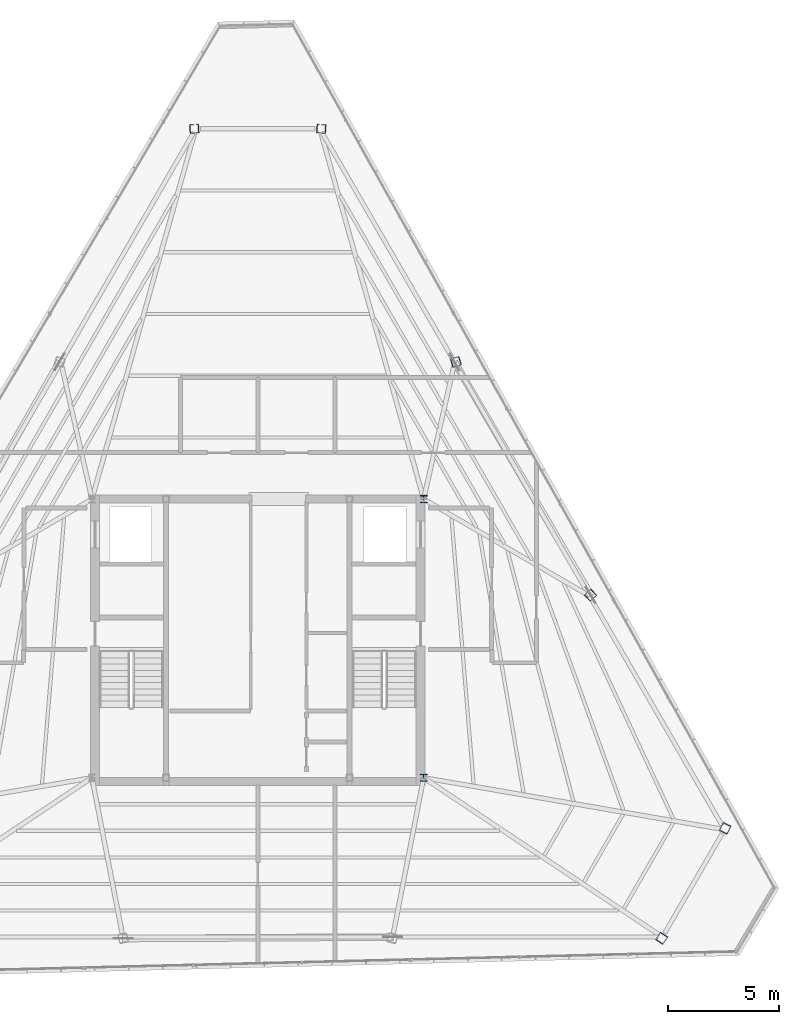
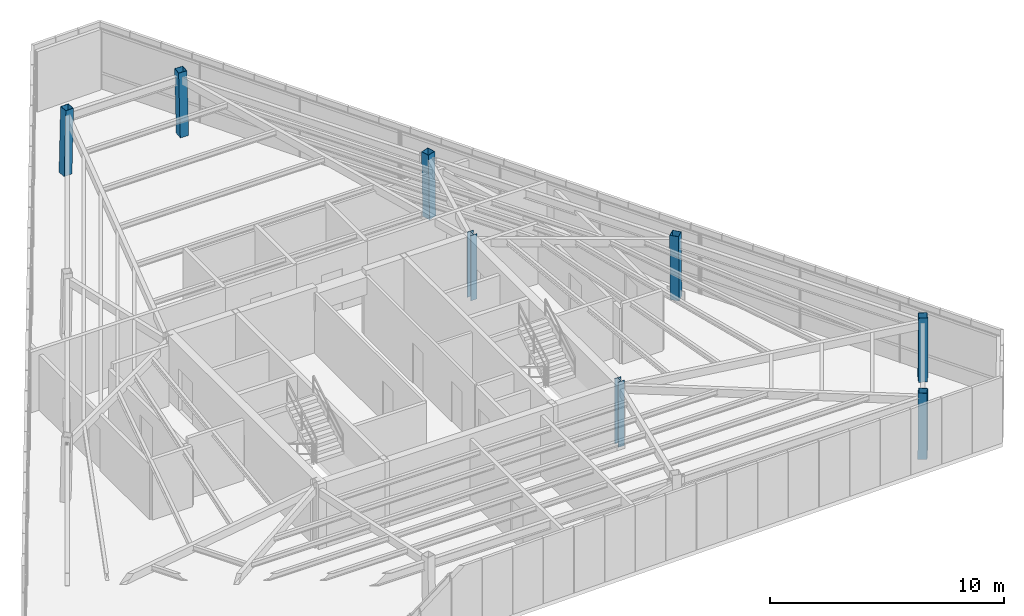
# One storey, part 2 of 44: 8 columns.
"""IFC4 building model written with IfcOpenShell, lengths in metres."""

from ifc_helpers import new_model, si_unit, direction, frame, origin, origin_2d, place, context, subcontext, project, spatial, hollow_rectangle, i_section, extrude, source, transform, mapped, material, material_profile, profile_set, type_object, type_shapes, element, save


model = new_model("IFC4")

# Units and contexts
model_context = context("Model", 3, precision=1e-05, world=origin(), true_north=direction((0.0, 1.0)))
body_context = subcontext(model_context, "Body", "Model", "MODEL_VIEW")
ifc_project = project(units=[si_unit("LENGTHUNIT", "METRE"), si_unit("AREAUNIT", "SQUARE_METRE"), si_unit("VOLUMEUNIT", "CUBIC_METRE"), si_unit("PLANEANGLEUNIT", "RADIAN"), si_unit("MASSUNIT", "GRAM", prefix="KILO")], contexts=[model_context])

# Site, building, storey
site_placement = place(None, origin())
site = spatial("IfcSite", under=ifc_project, at=site_placement, CompositionType="ELEMENT")
building_placement = place(site_placement, origin())
building = spatial("IfcBuilding", under=site, at=building_placement, Name="Caelisora Broadcast Tower", CompositionType="ELEMENT")
storey_placement = place(building_placement, frame((0.0, 0.0, 296.60009765625)))
storey = spatial("IfcBuildingStorey", under=building, at=storey_placement, Name="L78", CompositionType="ELEMENT", Elevation=296.60009765625)

# Columns
ifc_material_1 = material(Name="Steel Grade 350 (AS/NZS 3679.1)", Category="steel")
ifc_material_profile_1 = material_profile(ifc_material_1, i_section(OverallWidth=0.31103515625, OverallDepth=0.3271484375, WebThickness=0.015625, FlangeThickness=0.02490234375, at=origin_2d()), Name="Steel Grade 350 (AS/NZS 3679.1)")
ifc_profile_set_1 = profile_set([ifc_material_profile_1], Name="Steel Grade 350 (AS/NZS 3679.1)")
column_type_1 = type_object("IfcColumnType", Name="CC03", PredefinedType="COLUMN", material=ifc_profile_set_1)
shared_shape_1 = source(origin(), body_context, "Body", "SweptSolid", [
    extrude(i_section(OverallWidth=0.31103515625, OverallDepth=0.3271484375, WebThickness=0.015625, FlangeThickness=0.02490234375, at=origin_2d()), origin(), (0.0, 0.0, 1.0), 3.39990234375),
])
type_shapes(column_type_1, [shared_shape_1])
for number, where, z_axis, x_axis, name in (
    (1, (45.5, 17.39990234375, 0.0), (0.0, 0.0, 1.0), (1.0, 0.0, 0.0), "L78 column CC03"),
    (2, (45.5, 30.0, 0.0), (0.0, 0.0, 1.0), (1.0, 0.0, 0.0), "L78 column CC03"),
):
    element("IfcColumn", number, at=place(storey_placement, frame(where, z_axis=z_axis, x_axis=x_axis)), inside=storey, type_object=column_type_1, Name=name, PredefinedType="COLUMN", context=body_context, shape_type="MappedRepresentation", body=[
        mapped(shared_shape_1, transform((0.0, 0.0, 0.0), scale=1.0)),
    ])
ifc_material_2 = material(Name="Steel Grade 350 (AS/NZS 1163 C350L0)", Category="steel")
ifc_material_profile_2 = material_profile(ifc_material_2, hollow_rectangle(XDim=0.39990234375, YDim=0.39990234375, WallThickness=0.01611328125, at=origin_2d()), Name="Steel Grade 350 (AS/NZS 1163 C350L0)")
ifc_profile_set_2 = profile_set([ifc_material_profile_2], Name="Steel Grade 350 (AS/NZS 1163 C350L0)")
column_type_2 = type_object("IfcColumnType", Name="MC08", PredefinedType="COLUMN", material=ifc_profile_set_2)
shared_shape_2 = source(origin(), body_context, "Body", "SweptSolid", [
    extrude(hollow_rectangle(XDim=0.39990234375, YDim=0.39990234375, WallThickness=0.01611328125, at=origin_2d()), origin(), (0.0, 0.0, 1.0), 3.40087890625),
])
for number, where, z_axis, x_axis, name in (
    (3, (40.8857421875, 46.745361328125, 0.0), (-0.023905234944, 0.001794687308, 0.999712618126), (-0.07486439367, -0.997193723687, 0.0), "L78 column MC08"),
    (4, (35.1142578125, 46.745361328125, 0.0), (0.023905234944, 0.001794687308, 0.999712618126), (-0.07486439367, 0.997193723687, 0.0), "L78 column MC08"),
    (5, (56.25537109375, 10.128173828125, 0.0), (0.013424273829, 0.019813366721, 0.999713568664), (-0.827873758877, 0.560914467065, 0.0), "L78 column MC08"),
    (6, (59.14111328125, 15.12646484375, 0.0), (-0.010480962996, -0.021608012752, 0.999711580007), (0.89974297722, -0.436420181641, 0.0), "L78 column MC08"),
):
    element("IfcColumn", number, at=place(storey_placement, frame(where, z_axis=z_axis, x_axis=x_axis)), inside=storey, type_object=column_type_2, Name=name, PredefinedType="COLUMN", context=body_context, shape_type="MappedRepresentation", body=[
        mapped(shared_shape_2, transform((0.0, 0.0, 0.0), scale=1.0)),
    ])
shared_shape_3 = source(origin(), body_context, "Body", "SweptSolid", [
    extrude(hollow_rectangle(XDim=0.39990234375, YDim=0.39990234375, WallThickness=0.01611328125, at=origin_2d()), origin(), (0.0, 0.0, 1.0), 3.400634765625),
])
type_shapes(column_type_2, [shared_shape_2, shared_shape_3])
for number, where, z_axis, x_axis, name in (
    (7, (53.055908203125, 25.666015625, 0.0), (-0.01493300613, -0.01378431335, 0.999793477691), (0.678280102733, -0.734803444627, 0.0), "L78 column MC08"),
    (8, (46.970703125, 36.205810546875, 0.0), (-0.019384199241, -0.006030639764, 0.999793920868), (0.297066552636, -0.954856776331, 0.0), "L78 column MC08"),
):
    element("IfcColumn", number, at=place(storey_placement, frame(where, z_axis=z_axis, x_axis=x_axis)), inside=storey, type_object=column_type_2, Name=name, PredefinedType="COLUMN", context=body_context, shape_type="MappedRepresentation", body=[
        mapped(shared_shape_3, transform((0.0, 0.0, 0.0), scale=1.0)),
    ])

save(model, "model.ifc")
